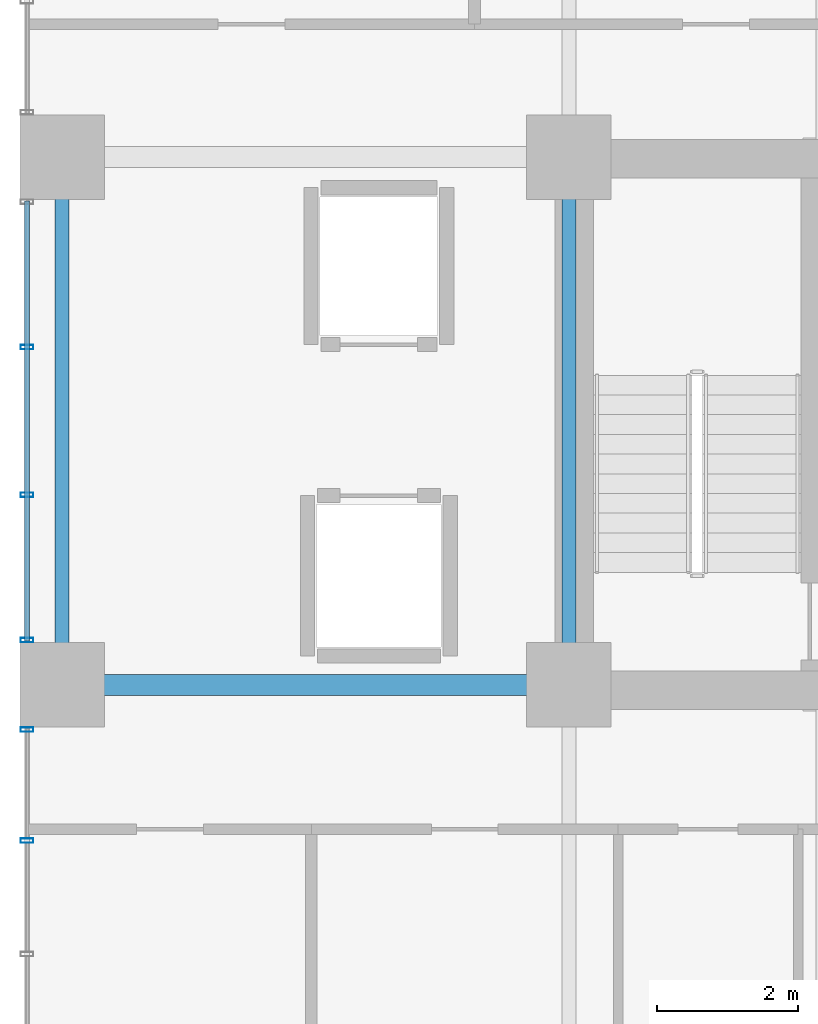
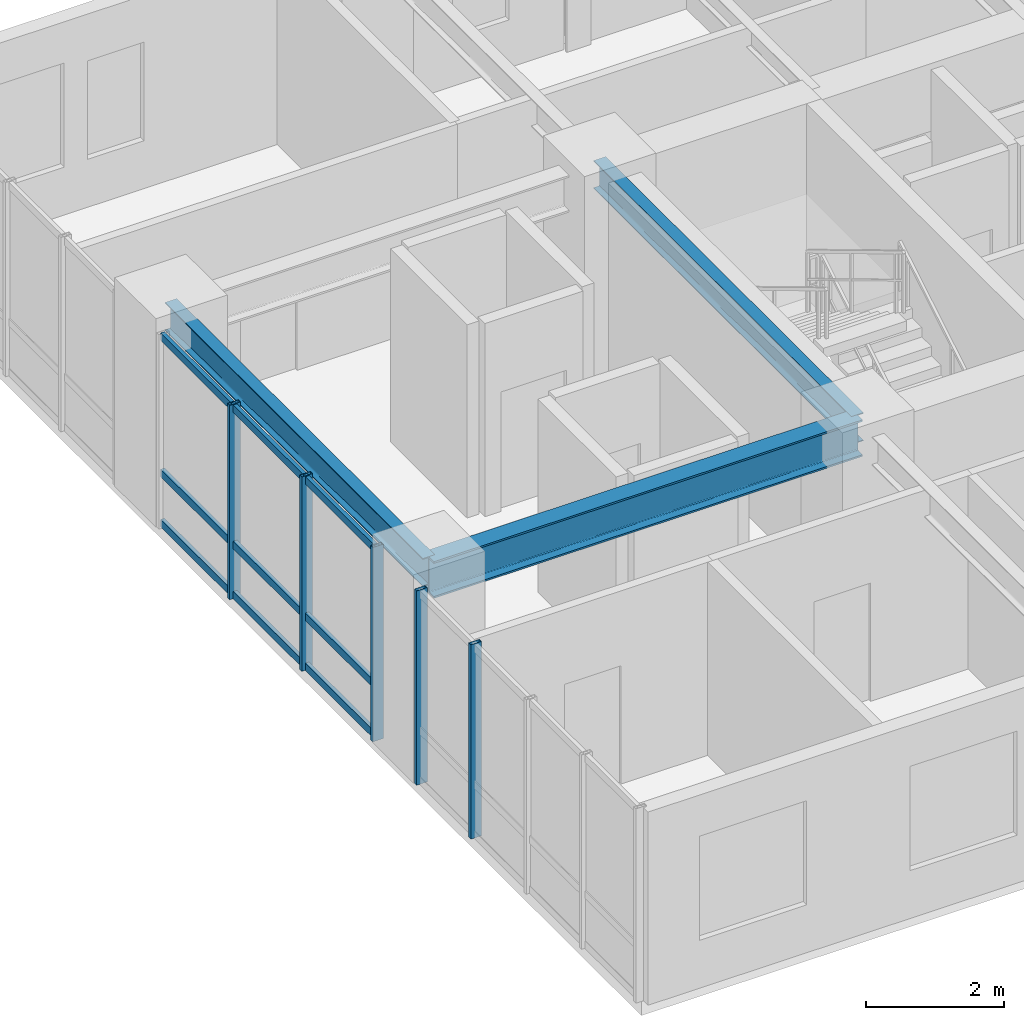
# One storey, part 4 of 18: 8 members, 3 beams, 2 elements without a shape of their own.
"""IFC4 building model written with IfcOpenShell, lengths in metres."""

from ifc_helpers import new_model, si_unit, direction, frame, origin, origin_2d, place, context, subcontext, project, spatial, hollow_rectangle, i_section, extrude, source, transform, mapped, material, layer, layer_set, material_profile, profile_set, type_object, element, aggregate, save


model = new_model("IFC4")

# Units and contexts
model_context = context("Model", 3, precision=1e-05, world=origin(), true_north=direction((0.0, 1.0)))
body_context = subcontext(model_context, "Body", "Model", "MODEL_VIEW")
ifc_project = project(units=[si_unit("LENGTHUNIT", "METRE"), si_unit("AREAUNIT", "SQUARE_METRE"), si_unit("VOLUMEUNIT", "CUBIC_METRE"), si_unit("PLANEANGLEUNIT", "RADIAN"), si_unit("MASSUNIT", "GRAM", prefix="KILO")], contexts=[model_context])

# Site, building, storey
site_placement = place(None, origin())
site = spatial("IfcSite", under=ifc_project, at=site_placement, CompositionType="ELEMENT")
building_placement = place(site_placement, origin())
building = spatial("IfcBuilding", under=site, at=building_placement, Name="Kaliganga Portal Commons", CompositionType="ELEMENT")
storey_placement = place(building_placement, frame((0.0, 0.0, 93.39990234375)))
storey = spatial("IfcBuildingStorey", under=building, at=storey_placement, Name="L23", CompositionType="ELEMENT", Elevation=93.39990234375)

# Beams
ifc_material_1 = material(Name="Structural steel S355J2", Category="steel")
ifc_material_profile_1 = material_profile(ifc_material_1, i_section(OverallWidth=0.300048828125, OverallDepth=0.64990234375, WebThickness=0.01611328125, FlangeThickness=0.031005859375, FilletRadius=0.027099609375, at=origin_2d()), Name="HE 650 B")
ifc_profile_set_1 = profile_set([ifc_material_profile_1], Name="Structural steel S355J2 wide-flange")
beam_type_1 = type_object("IfcBeamType", Name="BM-GIRD-650", PredefinedType="USERDEFINED", material=ifc_profile_set_1)
shared_shape_1 = source(origin(), body_context, "Body", "SweptSolid", [
    extrude(i_section(OverallWidth=0.300048828125, OverallDepth=0.64990234375, WebThickness=0.01611328125, FlangeThickness=0.031005859375, FilletRadius=0.027099609375, at=origin_2d()), origin(), (0.0, 0.0, 1.0), 7.199951171875),
])
beam_placement = place(storey_placement, frame((7.199951171875, 28.64990234375, 3.125), z_axis=(1.0, 0.0, 0.0), x_axis=(0.0, 1.0, 0.0)))
element("IfcBeam", 1, at=beam_placement, inside=storey, type_object=beam_type_1, Name="BM G L23 WAH_S 1", ObjectType="GIRDER", PredefinedType="USERDEFINED", context=body_context, shape_type="MappedRepresentation", body=[
    mapped(shared_shape_1, transform((0.0, 0.0, 0.0), x_axis=(1.0, 0.0, 0.0), y_axis=(0.0, 1.0, 0.0), z_axis=(0.0, 0.0, 1.0), scale=1.0)),
])
ifc_material_profile_2 = material_profile(ifc_material_1, i_section(OverallWidth=0.199951171875, OverallDepth=0.5, WebThickness=0.01025390625, FlangeThickness=0.01611328125, FilletRadius=0.02099609375, at=origin_2d()), Name="IPE 500")
ifc_profile_set_2 = profile_set([ifc_material_profile_2], Name="Structural steel S355J2 wide-flange")
beam_type_2 = type_object("IfcBeamType", Name="BM-FLR-500", PredefinedType="BEAM", material=ifc_profile_set_2)
shared_shape_2 = source(origin(), body_context, "Body", "SweptSolid", [
    extrude(i_section(OverallWidth=0.199951171875, OverallDepth=0.5, WebThickness=0.01025390625, FlangeThickness=0.01611328125, FilletRadius=0.02099609375, at=origin_2d()), origin(), (0.0, 0.0, 1.0), 7.5),
])
for number, where, z_axis, x_axis, name in (
    (2, (7.199951171875, 28.64990234375, 3.2001953125), (0.0, 1.0, 0.0), (-1.0, 0.0, 0.0), "BM G L23 AW72"),
    (3, (14.39990234375, 28.64990234375, 3.2001953125), (0.0, 1.0, 0.0), (-1.0, 0.0, 0.0), "BM G L23 AM144"),
):
    element("IfcBeam", number, at=place(storey_placement, frame(where, z_axis=z_axis, x_axis=x_axis)), inside=storey, type_object=beam_type_2, Name=name, PredefinedType="BEAM", context=body_context, shape_type="MappedRepresentation", body=[
        mapped(shared_shape_2, transform((0.0, 0.0, 0.0), x_axis=(1.0, 0.0, 0.0), y_axis=(0.0, 1.0, 0.0), z_axis=(0.0, 0.0, 1.0), scale=1.0)),
    ])

# Curtain wall, members
ifc_material_2 = material(Name="Anodized Aluminium and Laminated Low-E Glass", Category="aluminium")
ifc_layer = layer(ifc_material_2, 0.199951171875)
ifc_layer_set = layer_set([ifc_layer], Name="Anodized Aluminium and Laminated Low-E Glass")
curtain_wall_type = type_object("IfcCurtainWallType", Name="CW-SYS-02", PredefinedType="NOTDEFINED", material=ifc_layer_set)
curtain_wall_1_placement = place(storey_placement, origin())
curtain_wall_1 = element("IfcCurtainWall", 4, at=curtain_wall_1_placement, inside=storey, type_object=curtain_wall_type, Name="CW 02 L23 P1E03S2", PredefinedType="NOTDEFINED")
ifc_material_3 = material(Name="Dark Bronze Anodized Aluminium", Category="aluminium")
ifc_material_profile_3 = material_profile(ifc_material_3, hollow_rectangle(XDim=0.06494140625, YDim=0.179931640625, WallThickness=0.00390625, at=origin_2d()), Name="ALU MULL 65x180x4")
ifc_profile_set_3 = profile_set([ifc_material_profile_3], Name="Dark Bronze Anodized Aluminium")
member_type_1 = type_object("IfcMemberType", Name="CW-MUL-180", PredefinedType="MULLION", material=ifc_profile_set_3)
shared_shape_3 = source(origin(), body_context, "Body", "SweptSolid", [
    extrude(hollow_rectangle(XDim=0.06494140625, YDim=0.179931640625, WallThickness=0.00390625, at=origin_2d()), origin(), (0.0, 0.0, 1.0), 3.4501953125),
])
member_1_placement = place(storey_placement, frame((6.699951171875, 33.44970703125, 0.0), z_axis=(0.0, 0.0, 1.0), x_axis=(0.0, -1.0, 0.0)))
member_1 = element("IfcMember", 5, at=member_1_placement, type_object=member_type_1, Name="CW:02:L23:P1E03S2 Mullion 01", PredefinedType="MULLION", context=body_context, shape_type="MappedRepresentation", body=[
    mapped(shared_shape_3, transform((0.0, 0.0, 0.0), x_axis=(1.0, 0.0, 0.0), y_axis=(0.0, 1.0, 0.0), z_axis=(0.0, 0.0, 1.0), scale=1.0)),
])
member_2_placement = place(storey_placement, frame((6.699951171875, 31.350341796875, 0.0), z_axis=(0.0, 0.0, 1.0), x_axis=(0.0, -1.0, 0.0)))
member_2 = element("IfcMember", 6, at=member_2_placement, type_object=member_type_1, Name="CW:02:L23:P1E03S2 Mullion 02", PredefinedType="MULLION", context=body_context, shape_type="MappedRepresentation", body=[
    mapped(shared_shape_3, transform((0.0, 0.0, 0.0), x_axis=(1.0, 0.0, 0.0), y_axis=(0.0, 1.0, 0.0), z_axis=(0.0, 0.0, 1.0), scale=1.0)),
])
member_3_placement = place(storey_placement, frame((6.699951171875, 29.285888671875, 0.0), z_axis=(0.0, 0.0, 1.0), x_axis=(0.0, -1.0, 0.0)))
member_3 = element("IfcMember", 7, at=member_3_placement, type_object=member_type_1, Name="CW:02:L23:P1E03S2 Mullion 03", PredefinedType="MULLION", context=body_context, shape_type="MappedRepresentation", body=[
    mapped(shared_shape_3, transform((0.0, 0.0, 0.0), x_axis=(1.0, 0.0, 0.0), y_axis=(0.0, 1.0, 0.0), z_axis=(0.0, 0.0, 1.0), scale=1.0)),
])

curtain_wall_2_placement = place(storey_placement, origin())
curtain_wall_2 = element("IfcCurtainWall", 8, at=curtain_wall_2_placement, inside=storey, type_object=curtain_wall_type, Name="CW 02 L23 P1E03S3", PredefinedType="NOTDEFINED")
member_4_placement = place(storey_placement, frame((6.699951171875, 28.013916015625, 0.0), z_axis=(0.0, 0.0, 1.0), x_axis=(0.0, -1.0, 0.0)))
member_4 = element("IfcMember", 9, at=member_4_placement, type_object=member_type_1, Name="CW:02:L23:P1E03S3 Mullion 00", PredefinedType="MULLION", context=body_context, shape_type="MappedRepresentation", body=[
    mapped(shared_shape_3, transform((0.0, 0.0, 0.0), x_axis=(1.0, 0.0, 0.0), y_axis=(0.0, 1.0, 0.0), z_axis=(0.0, 0.0, 1.0), scale=1.0)),
])
member_5_placement = place(storey_placement, frame((6.699951171875, 26.436767578125, 0.0), z_axis=(0.0, 0.0, 1.0), x_axis=(0.0, -1.0, 0.0)))
member_5 = element("IfcMember", 10, at=member_5_placement, type_object=member_type_1, Name="CW:02:L23:P1E03S3 Mullion 01", PredefinedType="MULLION", context=body_context, shape_type="MappedRepresentation", body=[
    mapped(shared_shape_3, transform((0.0, 0.0, 0.0), x_axis=(1.0, 0.0, 0.0), y_axis=(0.0, 1.0, 0.0), z_axis=(0.0, 0.0, 1.0), scale=1.0)),
])
aggregate(curtain_wall_2, [member_4, member_5])

# Member
ifc_material_profile_4 = material_profile(ifc_material_3, hollow_rectangle(XDim=0.06494140625, YDim=0.135009765625, WallThickness=0.00341796875, at=origin_2d()), Name="ALU TRAN 65x135x3.5")
ifc_profile_set_4 = profile_set([ifc_material_profile_4], Name="Dark Bronze Anodized Aluminium")
member_type_2 = type_object("IfcMemberType", Name="CW-TRN-135", PredefinedType="USERDEFINED", material=ifc_profile_set_4)
shared_shape_4 = source(origin(), body_context, "Body", "SweptSolid", [
    extrude(hollow_rectangle(XDim=0.06494140625, YDim=0.135009765625, WallThickness=0.00341796875, at=origin_2d()), origin(), (0.0, 0.0, 1.0), 6.258056640625),
])
member_6_placement = place(storey_placement, frame((6.699951171875, 35.529052734375, 0.06005859375), z_axis=(0.0, -1.0, 0.0), x_axis=(1.0, 0.0, 0.0)))
member_6 = element("IfcMember", 11, at=member_6_placement, type_object=member_type_2, Name="CW:02:L23:P1E03S2 Transom 1", ObjectType="TRANSOM", PredefinedType="USERDEFINED", context=body_context, shape_type="MappedRepresentation", body=[
    mapped(shared_shape_4, transform((0.0, 0.0, 0.0), x_axis=(1.0, 0.0, 0.0), y_axis=(0.0, 1.0, 0.0), z_axis=(0.0, 0.0, 1.0), scale=1.0)),
])

member_7_placement = place(storey_placement, frame((6.699951171875, 35.529052734375, 0.9501953125), z_axis=(0.0, -1.0, 0.0), x_axis=(1.0, 0.0, 0.0)))
member_7 = element("IfcMember", 12, at=member_7_placement, type_object=member_type_2, Name="CW:02:L23:P1E03S2 Transom 2", ObjectType="TRANSOM", PredefinedType="USERDEFINED", context=body_context, shape_type="MappedRepresentation", body=[
    mapped(shared_shape_4, transform((0.0, 0.0, 0.0), x_axis=(1.0, 0.0, 0.0), y_axis=(0.0, 1.0, 0.0), z_axis=(0.0, 0.0, 1.0), scale=1.0)),
])

member_8_placement = place(storey_placement, frame((6.699951171875, 35.529052734375, 3.3701171875), z_axis=(0.0, -1.0, 0.0), x_axis=(1.0, 0.0, 0.0)))
member_8 = element("IfcMember", 13, at=member_8_placement, type_object=member_type_2, Name="CW:02:L23:P1E03S2 Transom 3", ObjectType="TRANSOM", PredefinedType="USERDEFINED", context=body_context, shape_type="MappedRepresentation", body=[
    mapped(shared_shape_4, transform((0.0, 0.0, 0.0), x_axis=(1.0, 0.0, 0.0), y_axis=(0.0, 1.0, 0.0), z_axis=(0.0, 0.0, 1.0), scale=1.0)),
])

aggregate(curtain_wall_1, [member_1, member_2, member_3, member_6, member_7, member_8])

save(model, "model.ifc")
